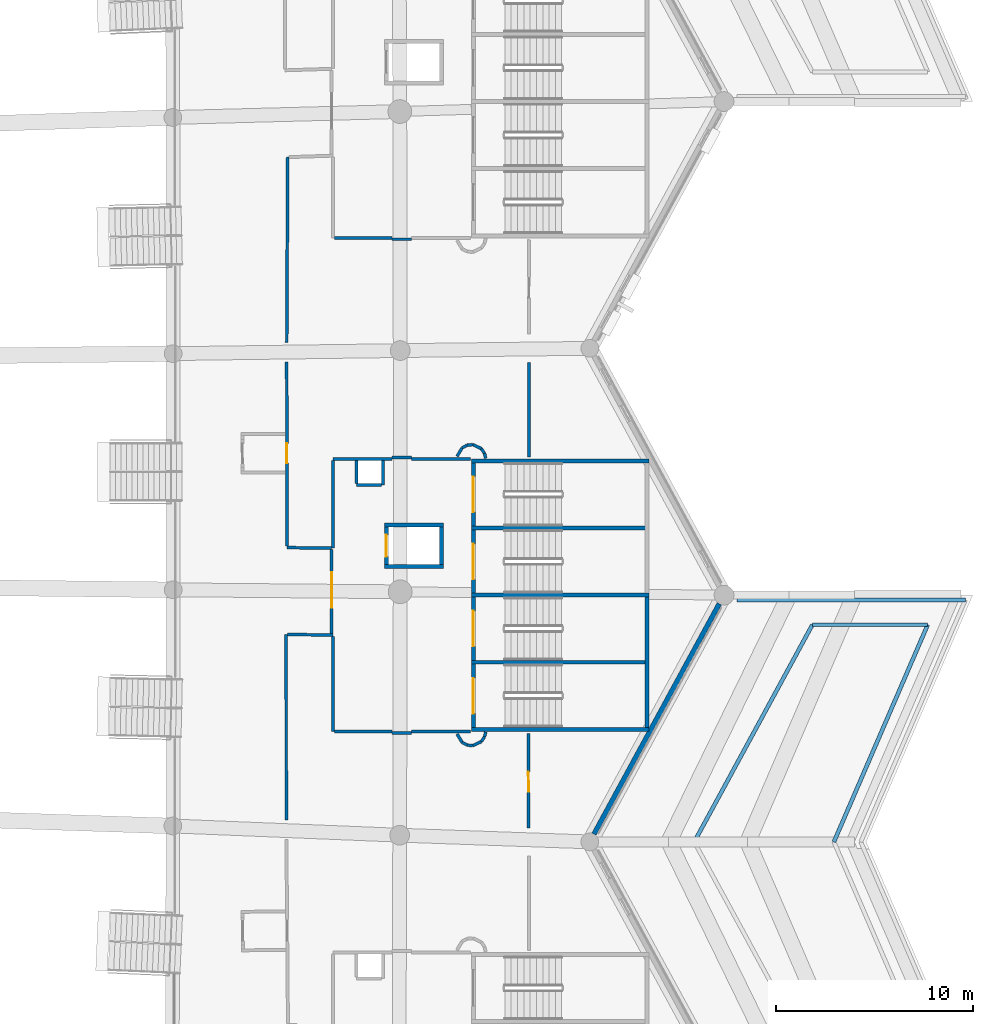
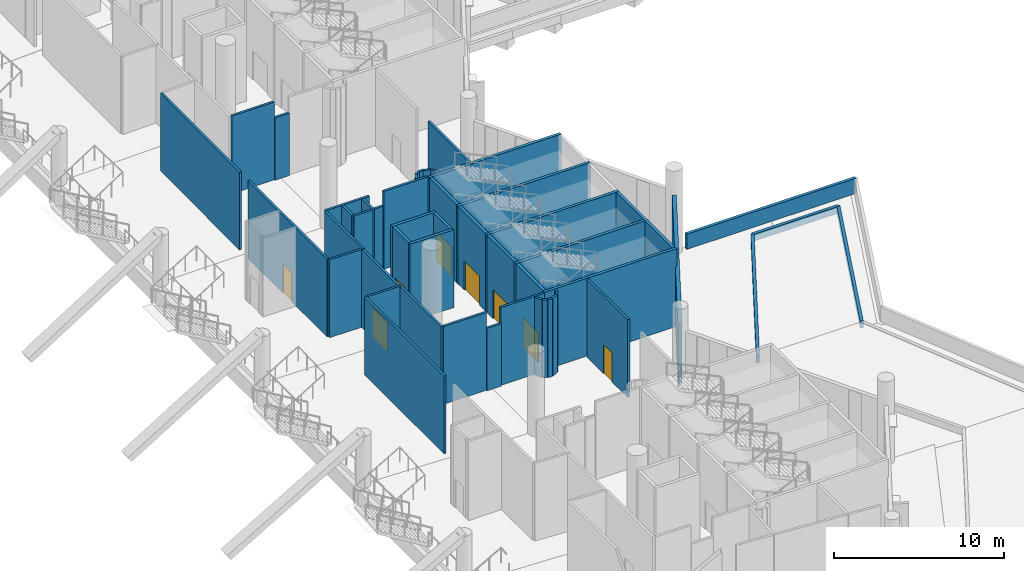
# One storey, part 59 of 173: 52 walls, 8 doors, 8 openings.
"""IFC4 building model written with IfcOpenShell, lengths in metres."""

from ifc_helpers import new_model, si_unit, direction, frame, frame_2d, origin, place, context, subcontext, project, spatial, rectangle, extrude, material, layer, layer_set, type_object, element, fill, save


model = new_model("IFC4")

# Units and contexts
model_context = context("Model", 3, precision=1e-05, world=origin(), true_north=direction((0.0, 1.0)))
body_context = subcontext(model_context, "Body", "Model", "MODEL_VIEW")
ifc_project = project(units=[si_unit("LENGTHUNIT", "METRE"), si_unit("AREAUNIT", "SQUARE_METRE"), si_unit("VOLUMEUNIT", "CUBIC_METRE"), si_unit("PLANEANGLEUNIT", "RADIAN"), si_unit("MASSUNIT", "GRAM", prefix="KILO")], contexts=[model_context])

# Site, building, storey
site_placement = place(None, origin())
site = spatial("IfcSite", under=ifc_project, at=site_placement, CompositionType="ELEMENT")
building_placement = place(site_placement, origin())
building = spatial("IfcBuilding", under=site, at=building_placement, Name="Meseta Stadium", CompositionType="ELEMENT")
storey_placement = place(building_placement, frame((0.0, 0.0, 18.0)))
storey = spatial("IfcBuildingStorey", under=building, at=storey_placement, Name="L03", CompositionType="ELEMENT", Elevation=18.0)

# Walls
ifc_material_1 = material(Name="Concrete C40/50", Category="concrete")
ifc_layer_1 = layer(ifc_material_1, 0.199951171875)
ifc_layer_set_1 = layer_set([ifc_layer_1], Name="Core divider wall 200")
wall_type_1 = type_object("IfcWallType", Name="Core divider wall 200", PredefinedType="SHEAR", material=ifc_layer_set_1)
for number, where, z_axis, x_axis, name in (
    (1, (97.60009765625, -9.64990234375, 0.0), (0.0, 0.0, 1.0), (-1.0, 0.0, 0.0), "Core 03 L03 stair A divider wall"),
    (2, (97.60009765625, -2.85009765625, 0.0), (0.0, 0.0, 1.0), (-1.0, 0.0, 0.0), "Core 03 L03 stair B divider wall"),
):
    element("IfcWall", number, at=place(storey_placement, frame(where, z_axis=z_axis, x_axis=x_axis)), inside=storey, type_object=wall_type_1, Name=name, PredefinedType="SHEAR", context=body_context, shape_type="SweptSolid", body=[
        extrude(rectangle(XDim=9.0, YDim=0.199951171875, at=frame_2d((4.5, 0.0))), origin(), (0.0, 0.0, 1.0), 5.60009765625),
    ])
ifc_material_2 = material(Name="Concrete C40/50", Category="concrete")
ifc_layer_2 = layer(ifc_material_2, 0.199951171875)
ifc_layer_set_2 = layer_set([ifc_layer_2], Name="Core shaft wall 200")
wall_type_2 = type_object("IfcWallType", Name="Core shaft wall 200", PredefinedType="SHEAR", material=ifc_layer_set_2)
for number, where, z_axis, x_axis, name in (
    (3, (97.60009765625, -13.050048828125, 0.0), (0.0, 0.0, 1.0), (-1.0, 0.0, 0.0), "Core 03 L03 stair wall A-side"),
    (4, (97.60009765625, -6.25, 0.0), (0.0, 0.0, 1.0), (-1.0, 0.0, 0.0), "Core 03 L03 stair wall shared"),
    (5, (97.60009765625, 0.550048828125, 0.0), (0.0, 0.0, 1.0), (-1.0, 0.0, 0.0), "Core 03 L03 stair wall B-side"),
):
    element("IfcWall", number, at=place(storey_placement, frame(where, z_axis=z_axis, x_axis=x_axis)), inside=storey, type_object=wall_type_2, Name=name, PredefinedType="SHEAR", context=body_context, shape_type="SweptSolid", body=[
        extrude(rectangle(XDim=9.0, YDim=0.199951171875, at=frame_2d((4.5, 0.0))), origin(), (0.0, 0.0, 1.0), 5.60009765625),
    ])
wall_1_placement = place(storey_placement, frame((97.5, -12.949951171875, 0.0), z_axis=(0.0, 0.0, 1.0), x_axis=(0.0, 1.0, 0.0)))
element("IfcWall", 6, at=wall_1_placement, inside=storey, type_object=wall_type_2, Name="Core 03 L03 stair A outer end wall", PredefinedType="SHEAR", context=body_context, shape_type="SweptSolid", body=[
    extrude(rectangle(XDim=6.599853515625, YDim=0.199951171875, at=frame_2d((3.2998046875, 0.0))), origin(), (0.0, 0.0, 1.0), 5.60009765625),
])

# Wall, opening, door
wall_2_placement = place(storey_placement, frame((88.699951171875, -12.949951171875, 0.0), z_axis=(0.0, 0.0, 1.0), x_axis=(0.0, 1.0, 0.0)))
wall_2 = element("IfcWall", 7, at=wall_2_placement, inside=storey, type_object=wall_type_2, Name="Core 03 L03 stair A1 inner end wall", PredefinedType="SHEAR", context=body_context, shape_type="SweptSolid", body=[
    extrude(rectangle(XDim=3.199951171875, YDim=0.199951171875, at=frame_2d((1.60009765625, 0.0))), origin(), (0.0, 0.0, 1.0), 5.60009765625),
])
opening_1_placement = place(wall_2_placement, frame((0.699951171875, 0.0, 0.0)))
opening_1 = element("IfcOpeningElement", 8, at=opening_1_placement, cuts=wall_2, Name="Opening D1485", PredefinedType="OPENING", context=body_context, shape_type="SweptSolid", body=[
    extrude(rectangle(XDim=1.800048828125, YDim=2.10009765625, at=frame_2d((0.89990234375, 1.050048828125))), frame((0.0, 0.10986328125, 0.0), z_axis=(0.0, -1.0, 0.0), x_axis=(1.0, 0.0, 0.0)), (0.0, 0.0, 1.0), 0.219970703125),
])
ifc_material_3 = material(Name="Steel", Category="steel")
door_type_1 = type_object("IfcDoorType", Name="Stair door 1800x2100", OperationType="DOUBLE_DOOR_SINGLE_SWING", PredefinedType="DOOR", material=ifc_material_3)
door_1_placement = place(opening_1_placement, origin())
door_1 = element("IfcDoor", 9, at=door_1_placement, inside=storey, type_object=door_type_1, Name="Stair A1 door 03 L03", OperationType="DOUBLE_DOOR_SINGLE_SWING", OverallHeight=2.10009765625, OverallWidth=1.800048828125, PredefinedType="DOOR", context=body_context, shape_type="SweptSolid", body=[
    extrude(rectangle(XDim=1.800048828125, YDim=2.10009765625, at=frame_2d((0.89990234375, 1.050048828125))), frame((0.0, 0.02490234375, 0.0), z_axis=(0.0, -1.0, 0.0), x_axis=(1.0, 0.0, 0.0)), (0.0, 0.0, 1.0), 0.050048828125),
])
fill(opening_1, door_1)

wall_3_placement = place(storey_placement, frame((88.699951171875, -9.550048828125, 0.0), z_axis=(0.0, 0.0, 1.0), x_axis=(0.0, 1.0, 0.0)))
wall_3 = element("IfcWall", 10, at=wall_3_placement, inside=storey, type_object=wall_type_2, Name="Core 03 L03 stair A2 inner end wall", PredefinedType="SHEAR", context=body_context, shape_type="SweptSolid", body=[
    extrude(rectangle(XDim=3.199951171875, YDim=0.199951171875, at=frame_2d((1.60009765625, 0.0))), origin(), (0.0, 0.0, 1.0), 5.60009765625),
])
opening_2_placement = place(wall_3_placement, frame((0.699951171875, 0.0, 0.0)))
opening_2 = element("IfcOpeningElement", 11, at=opening_2_placement, cuts=wall_3, Name="Opening D1486", PredefinedType="OPENING", context=body_context, shape_type="SweptSolid", body=[
    extrude(rectangle(XDim=1.800048828125, YDim=2.10009765625, at=frame_2d((0.89990234375, 1.050048828125))), frame((0.0, 0.10986328125, 0.0), z_axis=(0.0, -1.0, 0.0), x_axis=(1.0, 0.0, 0.0)), (0.0, 0.0, 1.0), 0.219970703125),
])
door_2_placement = place(opening_2_placement, origin())
door_2 = element("IfcDoor", 12, at=door_2_placement, inside=storey, type_object=door_type_1, Name="Stair A2 door 03 L03", OperationType="DOUBLE_DOOR_SINGLE_SWING", OverallHeight=2.10009765625, OverallWidth=1.800048828125, PredefinedType="DOOR", context=body_context, shape_type="SweptSolid", body=[
    extrude(rectangle(XDim=1.800048828125, YDim=2.10009765625, at=frame_2d((0.89990234375, 1.050048828125))), frame((0.0, 0.02490234375, 0.0), z_axis=(0.0, -1.0, 0.0), x_axis=(1.0, 0.0, 0.0)), (0.0, 0.0, 1.0), 0.050048828125),
])
fill(opening_2, door_2)

wall_4_placement = place(storey_placement, frame((88.699951171875, -6.14990234375, 0.0), z_axis=(0.0, 0.0, 1.0), x_axis=(0.0, 1.0, 0.0)))
wall_4 = element("IfcWall", 13, at=wall_4_placement, inside=storey, type_object=wall_type_2, Name="Core 03 L03 stair B1 inner end wall", PredefinedType="SHEAR", context=body_context, shape_type="SweptSolid", body=[
    extrude(rectangle(XDim=3.199951171875, YDim=0.199951171875, at=frame_2d((1.60009765625, 0.0))), origin(), (0.0, 0.0, 1.0), 5.60009765625),
])
opening_3_placement = place(wall_4_placement, frame((0.699951171875, 0.0, 0.0)))
opening_3 = element("IfcOpeningElement", 14, at=opening_3_placement, cuts=wall_4, Name="Opening D1487", PredefinedType="OPENING", context=body_context, shape_type="SweptSolid", body=[
    extrude(rectangle(XDim=1.800048828125, YDim=2.10009765625, at=frame_2d((0.89990234375, 1.050048828125))), frame((0.0, 0.10986328125, 0.0), z_axis=(0.0, -1.0, 0.0), x_axis=(1.0, 0.0, 0.0)), (0.0, 0.0, 1.0), 0.219970703125),
])
door_3_placement = place(opening_3_placement, origin())
door_3 = element("IfcDoor", 15, at=door_3_placement, inside=storey, type_object=door_type_1, Name="Stair B1 door 03 L03", OperationType="DOUBLE_DOOR_SINGLE_SWING", OverallHeight=2.10009765625, OverallWidth=1.800048828125, PredefinedType="DOOR", context=body_context, shape_type="SweptSolid", body=[
    extrude(rectangle(XDim=1.800048828125, YDim=2.10009765625, at=frame_2d((0.89990234375, 1.050048828125))), frame((0.0, 0.02490234375, 0.0), z_axis=(0.0, -1.0, 0.0), x_axis=(1.0, 0.0, 0.0)), (0.0, 0.0, 1.0), 0.050048828125),
])
fill(opening_3, door_3)

wall_5_placement = place(storey_placement, frame((88.699951171875, -2.75, 0.0), z_axis=(0.0, 0.0, 1.0), x_axis=(0.0, 1.0, 0.0)))
wall_5 = element("IfcWall", 16, at=wall_5_placement, inside=storey, type_object=wall_type_2, Name="Core 03 L03 stair B2 inner end wall", PredefinedType="SHEAR", context=body_context, shape_type="SweptSolid", body=[
    extrude(rectangle(XDim=3.199951171875, YDim=0.199951171875, at=frame_2d((1.60009765625, 0.0))), origin(), (0.0, 0.0, 1.0), 5.60009765625),
])
opening_4_placement = place(wall_5_placement, frame((0.699951171875, 0.0, 0.0)))
opening_4 = element("IfcOpeningElement", 17, at=opening_4_placement, cuts=wall_5, Name="Opening D1488", PredefinedType="OPENING", context=body_context, shape_type="SweptSolid", body=[
    extrude(rectangle(XDim=1.800048828125, YDim=2.10009765625, at=frame_2d((0.89990234375, 1.050048828125))), frame((0.0, 0.10986328125, 0.0), z_axis=(0.0, -1.0, 0.0), x_axis=(1.0, 0.0, 0.0)), (0.0, 0.0, 1.0), 0.219970703125),
])
door_4_placement = place(opening_4_placement, origin())
door_4 = element("IfcDoor", 18, at=door_4_placement, inside=storey, type_object=door_type_1, Name="Stair B2 door 03 L03", OperationType="DOUBLE_DOOR_SINGLE_SWING", OverallHeight=2.10009765625, OverallWidth=1.800048828125, PredefinedType="DOOR", context=body_context, shape_type="SweptSolid", body=[
    extrude(rectangle(XDim=1.800048828125, YDim=2.10009765625, at=frame_2d((0.89990234375, 1.050048828125))), frame((0.0, 0.02490234375, 0.0), z_axis=(0.0, -1.0, 0.0), x_axis=(1.0, 0.0, 0.0)), (0.0, 0.0, 1.0), 0.050048828125),
])
fill(opening_4, door_4)

# Walls
for number, where, z_axis, x_axis, name in (
    (19, (87.199951171875, -4.800048828125, 0.0), (0.0, 0.0, 1.0), (-1.0, 0.0, 0.0), "Core 03 L03 lift shaft wall left"),
    (20, (87.199951171875, -2.699951171875, 0.0), (0.0, 0.0, 1.0), (-1.0, 0.0, 0.0), "Core 03 L03 lift shaft wall right"),
):
    element("IfcWall", number, at=place(storey_placement, frame(where, z_axis=z_axis, x_axis=x_axis)), inside=storey, type_object=wall_type_2, Name=name, PredefinedType="SHEAR", context=body_context, shape_type="SweptSolid", body=[
        extrude(rectangle(XDim=3.0, YDim=0.199951171875, at=frame_2d((1.5, 0.0))), origin(), (0.0, 0.0, 1.0), 5.60009765625),
    ])
wall_6_placement = place(storey_placement, frame((87.10009765625, -4.699951171875, 0.0), z_axis=(0.0, 0.0, 1.0), x_axis=(0.0, 1.0, 0.0)))
element("IfcWall", 21, at=wall_6_placement, inside=storey, type_object=wall_type_2, Name="Core 03 L03 lift shaft back wall", PredefinedType="SHEAR", context=body_context, shape_type="SweptSolid", body=[
    extrude(rectangle(XDim=1.89990234375, YDim=0.199951171875, at=frame_2d((0.949951171875, 0.0))), origin(), (0.0, 0.0, 1.0), 5.60009765625),
])

# Wall, opening, door
wall_7_placement = place(storey_placement, frame((84.300048828125, -4.699951171875, 0.0), z_axis=(0.0, 0.0, 1.0), x_axis=(0.0, 1.0, 0.0)))
wall_7 = element("IfcWall", 22, at=wall_7_placement, inside=storey, type_object=wall_type_2, Name="Core 03 L03 lift shaft front wall", PredefinedType="SHEAR", context=body_context, shape_type="SweptSolid", body=[
    extrude(rectangle(XDim=1.89990234375, YDim=0.199951171875, at=frame_2d((0.949951171875, 0.0))), origin(), (0.0, 0.0, 1.0), 5.60009765625),
])
opening_5_placement = place(wall_7_placement, frame((0.39990234375, 0.0, 0.0)))
opening_5 = element("IfcOpeningElement", 23, at=opening_5_placement, cuts=wall_7, Name="Opening LD17", PredefinedType="OPENING", context=body_context, shape_type="SweptSolid", body=[
    extrude(rectangle(XDim=1.10009765625, YDim=2.10009765625, at=frame_2d((0.550048828125, 1.050048828125))), frame((0.0, 0.10986328125, 0.0), z_axis=(0.0, -1.0, 0.0), x_axis=(1.0, 0.0, 0.0)), (0.0, 0.0, 1.0), 0.219970703125),
])
ifc_material_4 = material(Name="Steel", Category="steel")
door_type_2 = type_object("IfcDoorType", Name="Lift landing door 1100x2100", OperationType="SLIDING_TO_LEFT", PredefinedType="DOOR", material=ifc_material_4)
door_5_placement = place(opening_5_placement, origin())
door_5 = element("IfcDoor", 24, at=door_5_placement, inside=storey, type_object=door_type_2, Name="Lift landing door LD17", OperationType="SLIDING_TO_LEFT", OverallHeight=2.10009765625, OverallWidth=1.10009765625, PredefinedType="DOOR", context=body_context, shape_type="SweptSolid", body=[
    extrude(rectangle(XDim=1.10009765625, YDim=2.10009765625, at=frame_2d((0.550048828125, 1.050048828125))), frame((0.0, 0.02490234375, 0.0), z_axis=(0.0, -1.0, 0.0), x_axis=(1.0, 0.0, 0.0)), (0.0, 0.0, 1.0), 0.050048828125),
])
fill(opening_5, door_5)

# Walls
ifc_material_5 = material(Name="Masonry blockwork", Category="masonry")
ifc_layer_3 = layer(ifc_material_5, 0.14990234375)
ifc_layer_set_3 = layer_set([ifc_layer_3], Name="Partition 150")
wall_type_3 = type_object("IfcWallType", Name="Partition 150", PredefinedType="PARTITIONING", material=ifc_layer_set_3)
wall_8_placement = place(storey_placement, frame((79.22900390625, -17.63818359375, 0.0), z_axis=(0.0, 0.0, 1.0), x_axis=(-0.000571770055, 0.999999836539, 0.0)))
element("IfcWall", 25, at=wall_8_placement, inside=storey, type_object=wall_type_3, Name="Partition L03 L03-cell01-1-0", PredefinedType="PARTITIONING", context=body_context, shape_type="SweptSolid", body=[
    extrude(rectangle(XDim=9.393798828125, YDim=0.14990234375, at=frame_2d((4.69677734375, 0.0))), origin(), (0.0, 0.0, 1.0), 5.60009765625),
])
wall_9_placement = place(storey_placement, frame((79.298583984375, -8.2451171875, 0.0), z_axis=(0.0, 0.0, 1.0), x_axis=(0.999940315913, -0.010925411323, 0.0)))
element("IfcWall", 26, at=wall_9_placement, inside=storey, type_object=wall_type_3, Name="Partition L03 L03-cell01-1-0", PredefinedType="PARTITIONING", context=body_context, shape_type="SweptSolid", body=[
    extrude(rectangle(XDim=2.3017578125, YDim=0.14990234375, at=frame_2d((1.15087890625, 0.0))), origin(), (0.0, 0.0, 1.0), 5.60009765625),
])
wall_10_placement = place(storey_placement, frame((81.60009765625, -8.34521484375, 0.0), z_axis=(0.0, 0.0, 1.0), x_axis=(0.0, -1.0, 0.0)))
element("IfcWall", 27, at=wall_10_placement, inside=storey, type_object=wall_type_3, Name="Partition L03 L03-cell01-1-0", PredefinedType="PARTITIONING", context=body_context, shape_type="SweptSolid", body=[
    extrude(rectangle(XDim=4.8046875, YDim=0.14990234375, at=frame_2d((2.40234375, 0.0))), origin(), (0.0, 0.0, 1.0), 5.60009765625),
])
wall_11_placement = place(storey_placement, frame((81.675048828125, -13.14990234375, 0.0), z_axis=(0.0, 0.0, 1.0), x_axis=(1.0, 0.0, 0.0)))
element("IfcWall", 28, at=wall_11_placement, inside=storey, type_object=wall_type_3, Name="Partition L03 L03-cell01-1-0", PredefinedType="PARTITIONING", context=body_context, shape_type="SweptSolid", body=[
    extrude(rectangle(XDim=2.907958984375, YDim=0.14990234375, at=frame_2d((1.4541015625, 0.0))), origin(), (0.0, 0.0, 1.0), 5.60009765625),
])
wall_12_placement = place(storey_placement, frame((85.5771484375, -13.14990234375, 0.0), z_axis=(0.0, 0.0, 1.0), x_axis=(1.0, 0.0, 0.0)))
element("IfcWall", 29, at=wall_12_placement, inside=storey, type_object=wall_type_3, Name="Partition L03 L03-cell01-1-0", PredefinedType="PARTITIONING", context=body_context, shape_type="SweptSolid", body=[
    extrude(rectangle(XDim=2.98291015625, YDim=0.14990234375, at=frame_2d((1.491455078125, 0.0))), origin(), (0.0, 0.0, 1.0), 5.60009765625),
])

# Wall, opening, door
wall_13_placement = place(storey_placement, frame((91.505615234375, -18.03271484375, 0.0), z_axis=(0.0, 0.0, 1.0), x_axis=(-0.003624274308, 0.999993432296, 0.0)))
wall_13 = element("IfcWall", 30, at=wall_13_placement, inside=storey, type_object=wall_type_3, Name="Partition L03 L03-cell01-1-0", PredefinedType="PARTITIONING", context=body_context, shape_type="SweptSolid", body=[
    extrude(rectangle(XDim=4.78271484375, YDim=0.14990234375, at=frame_2d((2.391357421875, 0.0))), origin(), (0.0, 0.0, 1.0), 5.60009765625),
])
opening_6_placement = place(wall_13_placement, frame((1.83251953125, 0.0, 0.0)))
opening_6 = element("IfcOpeningElement", 31, at=opening_6_placement, cuts=wall_13, Name="Opening D1495", PredefinedType="OPENING", context=body_context, shape_type="SweptSolid", body=[
    extrude(rectangle(XDim=1.0, YDim=2.10009765625, at=frame_2d((0.5, 1.050048828125))), frame((0.0, 0.0849609375, 0.0), z_axis=(0.0, -1.0, 0.0), x_axis=(1.0, 0.0, 0.0)), (0.0, 0.0, 1.0), 0.169921875),
])
ifc_material_6 = material(Name="Steel", Category="steel")
door_type_3 = type_object("IfcDoorType", Name="Fire door 1000x2100 EI2 60", OperationType="NOTDEFINED", PredefinedType="DOOR", material=ifc_material_6)
door_6_placement = place(opening_6_placement, origin())
door_6 = element("IfcDoor", 32, at=door_6_placement, inside=storey, type_object=door_type_3, Name="Room door L03 L03-cell01-2-0", OperationType="SINGLE_SWING_LEFT", OverallHeight=2.10009765625, OverallWidth=1.0, PredefinedType="DOOR", context=body_context, shape_type="SweptSolid", body=[
    extrude(rectangle(XDim=1.0, YDim=2.10009765625, at=frame_2d((0.5, 1.050048828125))), frame((0.0, 0.02490234375, 0.0), z_axis=(0.0, -1.0, 0.0), x_axis=(1.0, 0.0, 0.0)), (0.0, 0.0, 1.0), 0.050048828125),
])
fill(opening_6, door_6)

# Walls
for number, where, z_axis, x_axis, name in (
    (33, (88.56005859375, 0.64990234375, 0.0), (0.0, 0.0, 1.0), (-1.0, 0.0, 0.0), "Partition L03 L03-cell02-1-0"),
    (34, (84.5830078125, 0.64990234375, 0.0), (0.0, 0.0, 1.0), (-1.0, 0.0, 0.0), "Partition L03 L03-cell02-1-0"),
):
    element("IfcWall", number, at=place(storey_placement, frame(where, z_axis=z_axis, x_axis=x_axis)), inside=storey, type_object=wall_type_3, Name=name, PredefinedType="PARTITIONING", context=body_context, shape_type="SweptSolid", body=[
        extrude(rectangle(XDim=2.98291015625, YDim=0.14990234375, at=frame_2d((1.491455078125, 0.0))), origin(), (0.0, 0.0, 1.0), 5.60009765625),
    ])
wall_14_placement = place(storey_placement, frame((81.60009765625, 0.574951171875, 0.0), z_axis=(0.0, 0.0, 1.0), x_axis=(0.0, -1.0, 0.0)))
element("IfcWall", 35, at=wall_14_placement, inside=storey, type_object=wall_type_3, Name="Partition L03 L03-cell02-1-0", PredefinedType="PARTITIONING", context=body_context, shape_type="SweptSolid", body=[
    extrude(rectangle(XDim=4.445068359375, YDim=0.14990234375, at=frame_2d((2.22265625, 0.0))), origin(), (0.0, 0.0, 1.0), 5.60009765625),
])
wall_15_placement = place(storey_placement, frame((81.52490234375, -3.869140625, 0.0), z_axis=(0.0, 0.0, 1.0), x_axis=(-0.999940122391, 0.010943108935, 0.0)))
element("IfcWall", 36, at=wall_15_placement, inside=storey, type_object=wall_type_3, Name="Partition L03 L03-cell02-1-0", PredefinedType="PARTITIONING", context=body_context, shape_type="SweptSolid", body=[
    extrude(rectangle(XDim=2.25341796875, YDim=0.14990234375, at=frame_2d((1.126708984375, 0.0))), origin(), (0.0, 0.0, 1.0), 5.60009765625),
])

# Wall, opening, door
wall_16_placement = place(storey_placement, frame((79.271484375, -3.76953125, 0.0), z_axis=(0.0, 0.0, 1.0), x_axis=(-0.002436333543, 0.999997032135, 0.0)))
wall_16 = element("IfcWall", 37, at=wall_16_placement, inside=storey, type_object=wall_type_3, Name="Partition L03 L03-cell02-1-0", PredefinedType="PARTITIONING", context=body_context, shape_type="SweptSolid", body=[
    extrude(rectangle(XDim=9.3193359375, YDim=0.14990234375, at=frame_2d((4.65966796875, 0.0))), origin(), (0.0, 0.0, 1.0), 5.60009765625),
])
opening_7_placement = place(wall_16_placement, frame((4.199951171875, 0.0, 0.0)))
opening_7 = element("IfcOpeningElement", 38, at=opening_7_placement, cuts=wall_16, Name="Opening D1453", PredefinedType="OPENING", context=body_context, shape_type="SweptSolid", body=[
    extrude(rectangle(XDim=1.0, YDim=2.10009765625, at=frame_2d((0.5, 1.050048828125))), frame((0.0, 0.0849609375, 0.0), z_axis=(0.0, -1.0, 0.0), x_axis=(1.0, 0.0, 0.0)), (0.0, 0.0, 1.0), 0.169921875),
])
door_7_placement = place(opening_7_placement, origin())
door_7 = element("IfcDoor", 39, at=door_7_placement, inside=storey, type_object=door_type_3, Name="Room door L03 L03-cell02-1-0", OperationType="SINGLE_SWING_RIGHT", OverallHeight=2.10009765625, OverallWidth=1.0, PredefinedType="DOOR", context=body_context, shape_type="SweptSolid", body=[
    extrude(rectangle(XDim=1.0, YDim=2.10009765625, at=frame_2d((0.5, 1.050048828125))), frame((0.0, 0.02490234375, 0.0), z_axis=(0.0, -1.0, 0.0), x_axis=(1.0, 0.0, 0.0)), (0.0, 0.0, 1.0), 0.050048828125),
])
fill(opening_7, door_7)

# Walls
wall_17_placement = place(storey_placement, frame((79.25048828125, 6.538818359375, 0.0), z_axis=(0.0, 0.0, 1.0), x_axis=(0.005457157377, 0.999985109606, 0.0)))
element("IfcWall", 40, at=wall_17_placement, inside=storey, type_object=wall_type_3, Name="Partition L03 L03-cell02-1-0", PredefinedType="PARTITIONING", context=body_context, shape_type="SweptSolid", body=[
    extrude(rectangle(XDim=9.39501953125, YDim=0.14990234375, at=frame_2d((4.697509765625, 0.0))), origin(), (0.0, 0.0, 1.0), 5.60009765625),
])
wall_18_placement = place(storey_placement, frame((81.675048828125, 11.85009765625, 0.0), z_axis=(0.0, 0.0, 1.0), x_axis=(1.0, 0.0, 0.0)))
element("IfcWall", 41, at=wall_18_placement, inside=storey, type_object=wall_type_3, Name="Partition L03 L03-cell02-1-0", PredefinedType="PARTITIONING", context=body_context, shape_type="SweptSolid", body=[
    extrude(rectangle(XDim=2.907958984375, YDim=0.14990234375, at=frame_2d((1.4541015625, 0.0))), origin(), (0.0, 0.0, 1.0), 5.60009765625),
])
wall_19_placement = place(storey_placement, frame((91.517333984375, 5.53271484375, 0.0), z_axis=(0.0, 0.0, 1.0), x_axis=(-0.001174067593, -0.999999310782, 0.0)))
element("IfcWall", 42, at=wall_19_placement, inside=storey, type_object=wall_type_3, Name="Partition L03 L03-cell02-1-0", PredefinedType="PARTITIONING", context=body_context, shape_type="SweptSolid", body=[
    extrude(rectangle(XDim=4.78271484375, YDim=0.14990234375, at=frame_2d((2.391357421875, 0.0))), origin(), (0.0, 0.0, 1.0), 5.60009765625),
])
wall_20_placement = place(storey_placement, frame((84.125, -0.675048828125, 0.0), z_axis=(0.0, 0.0, 1.0), x_axis=(0.0, 1.0, 0.0)))
element("IfcWall", 43, at=wall_20_placement, inside=storey, type_object=wall_type_3, Name="Pressurisation shaft wall L03 core 03", PredefinedType="PARTITIONING", context=body_context, shape_type="SweptSolid", body=[
    extrude(rectangle(XDim=1.2490234375, YDim=0.14990234375, at=frame_2d((0.62451171875, 0.0))), origin(), (0.0, 0.0, 1.0), 5.60009765625),
])
wall_21_placement = place(storey_placement, frame((82.77490234375, 0.573974609375, 0.0), z_axis=(0.0, 0.0, 1.0), x_axis=(0.0, -1.0, 0.0)))
element("IfcWall", 44, at=wall_21_placement, inside=storey, type_object=wall_type_3, Name="Pressurisation shaft wall L03 core 03", PredefinedType="PARTITIONING", context=body_context, shape_type="SweptSolid", body=[
    extrude(rectangle(XDim=1.174072265625, YDim=0.14990234375, at=frame_2d((0.5869140625, 0.0))), origin(), (0.0, 0.0, 1.0), 5.60009765625),
])
wall_22_placement = place(storey_placement, frame((82.77490234375, -0.675048828125, 0.0), z_axis=(0.0, 0.0, 1.0), x_axis=(1.0, 0.0, 0.0)))
element("IfcWall", 45, at=wall_22_placement, inside=storey, type_object=wall_type_3, Name="Pressurisation shaft wall L03 core 03", PredefinedType="PARTITIONING", context=body_context, shape_type="SweptSolid", body=[
    extrude(rectangle(XDim=1.275146484375, YDim=0.14990234375, at=frame_2d((0.6376953125, 0.0))), origin(), (0.0, 0.0, 1.0), 5.60009765625),
])

# Wall, opening, door
wall_23_placement = place(storey_placement, frame((81.52490234375, -3.9453125, 0.0), z_axis=(0.0, 0.0, 1.0), x_axis=(0.0, -1.0, 0.0)))
wall_23 = element("IfcWall", 46, at=wall_23_placement, inside=storey, type_object=wall_type_3, Name="Stair vestibule wall L03 core 03", PredefinedType="PARTITIONING", context=body_context, shape_type="SweptSolid", body=[
    extrude(rectangle(XDim=4.239990234375, YDim=0.14990234375, at=frame_2d((2.1201171875, 0.0))), origin(), (0.0, 0.0, 1.0), 5.60009765625),
])
opening_8_placement = place(wall_23_placement, frame((1.14990234375, 0.0, 0.0)))
opening_8 = element("IfcOpeningElement", 47, at=opening_8_placement, cuts=wall_23, Name="Opening D1460", PredefinedType="OPENING", context=body_context, shape_type="SweptSolid", body=[
    extrude(rectangle(XDim=1.800048828125, YDim=2.10009765625, at=frame_2d((0.89990234375, 1.050048828125))), frame((0.0, 0.0849609375, 0.0), z_axis=(0.0, -1.0, 0.0), x_axis=(1.0, 0.0, 0.0)), (0.0, 0.0, 1.0), 0.169921875),
])
ifc_material_7 = material(Name="Steel", Category="steel")
door_type_4 = type_object("IfcDoorType", Name="Fire double door 1800x2100 EI2 60", OperationType="DOUBLE_DOOR_SINGLE_SWING", PredefinedType="DOOR", material=ifc_material_7)
door_8_placement = place(opening_8_placement, origin())
door_8 = element("IfcDoor", 48, at=door_8_placement, inside=storey, type_object=door_type_4, Name="Stair vestibule door L03 core 03", OperationType="DOUBLE_DOOR_SINGLE_SWING", OverallHeight=2.10009765625, OverallWidth=1.800048828125, PredefinedType="DOOR", context=body_context, shape_type="SweptSolid", body=[
    extrude(rectangle(XDim=1.800048828125, YDim=2.10009765625, at=frame_2d((0.89990234375, 1.050048828125))), frame((0.0, 0.02490234375, 0.0), z_axis=(0.0, -1.0, 0.0), x_axis=(1.0, 0.0, 0.0)), (0.0, 0.0, 1.0), 0.050048828125),
])
fill(opening_8, door_8)

# Walls
wall_24_placement = place(storey_placement, frame((84.593017578125, -13.22509765625, 0.0), z_axis=(0.0, 0.0, 1.0), x_axis=(1.0, 0.0, 0.0)))
element("IfcWall", 49, at=wall_24_placement, inside=storey, type_object=wall_type_3, Name="Stair vestibule wall L03 core 03", PredefinedType="PARTITIONING", context=body_context, shape_type="SweptSolid", body=[
    extrude(rectangle(XDim=0.97412109375, YDim=0.14990234375, at=frame_2d((0.487060546875, 0.0))), origin(), (0.0, 0.0, 1.0), 4.5),
])
wall_25_placement = place(storey_placement, frame((87.877197265625, -13.279052734375, 0.0), z_axis=(0.0, 0.0, 1.0), x_axis=(0.513060623194, -0.858352373404, 0.0)))
element("IfcWall", 50, at=wall_25_placement, inside=storey, type_object=wall_type_3, Name="Stair vestibule wall L03 core 03", PredefinedType="PARTITIONING", context=body_context, shape_type="SweptSolid", body=[
    extrude(rectangle(XDim=0.50048828125, YDim=0.14990234375, at=frame_2d((0.250244140625, 0.0))), origin(), (0.0, 0.0, 1.0), 5.60009765625),
])
for number, where, z_axis, x_axis, name in (
    (51, (88.134033203125, -13.708740234375, 0.0), (0.0, 0.0, 1.0), (0.881768319, -0.471682765858, 0.0), "Stair vestibule wall L03 core 03"),
    (52, (88.38916015625, -13.84521484375, 0.0), (0.0, 0.0, 1.0), (0.995194714408, -0.097915680128, 0.0), "Stair vestibule wall L03 core 03"),
):
    element("IfcWall", number, at=place(storey_placement, frame(where, z_axis=z_axis, x_axis=x_axis)), inside=storey, type_object=wall_type_3, Name=name, PredefinedType="PARTITIONING", context=body_context, shape_type="SweptSolid", body=[
        extrude(rectangle(XDim=0.289306640625, YDim=0.14990234375, at=frame_2d((0.14453125, 0.0))), origin(), (0.0, 0.0, 1.0), 5.60009765625),
    ])
wall_26_placement = place(storey_placement, frame((88.677001953125, -13.87353515625, 0.0), z_axis=(0.0, 0.0, 1.0), x_axis=(0.90398642908, 0.427561148889, 0.0)))
element("IfcWall", 53, at=wall_26_placement, inside=storey, type_object=wall_type_3, Name="Stair vestibule wall L03 core 03", PredefinedType="PARTITIONING", context=body_context, shape_type="SweptSolid", body=[
    extrude(rectangle(XDim=0.479736328125, YDim=0.14990234375, at=frame_2d((0.23974609375, 0.0))), origin(), (0.0, 0.0, 1.0), 5.60009765625),
])
wall_27_placement = place(storey_placement, frame((89.110595703125, -13.66845703125, 0.0), z_axis=(0.0, 0.0, 1.0), x_axis=(0.555678694372, 0.831397130511, 0.0)))
element("IfcWall", 54, at=wall_27_placement, inside=storey, type_object=wall_type_3, Name="Stair vestibule wall L03 core 03", PredefinedType="PARTITIONING", context=body_context, shape_type="SweptSolid", body=[
    extrude(rectangle(XDim=0.287841796875, YDim=0.14990234375, at=frame_2d((0.14404296875, 0.0))), origin(), (0.0, 0.0, 1.0), 5.60009765625),
])
for number, where, z_axis, x_axis, name in (
    (55, (89.2705078125, -13.42919921875, 0.0), (0.0, 0.0, 1.0), (0.230253879357, 0.973130593004, 0.0), "Stair vestibule wall L03 core 03"),
    (56, (89.329833984375, 0.678466796875, 0.0), (0.0, 0.0, 1.0), (-0.230253879357, 0.973130593004, 0.0), "Stair vestibule wall L03 core 03"),
):
    element("IfcWall", number, at=place(storey_placement, frame(where, z_axis=z_axis, x_axis=x_axis)), inside=storey, type_object=wall_type_3, Name=name, PredefinedType="PARTITIONING", context=body_context, shape_type="SweptSolid", body=[
        extrude(rectangle(XDim=0.257568359375, YDim=0.14990234375, at=frame_2d((0.12890625, 0.0))), origin(), (0.0, 0.0, 1.0), 5.60009765625),
    ])
wall_28_placement = place(storey_placement, frame((89.2705078125, 0.92919921875, 0.0), z_axis=(0.0, 0.0, 1.0), x_axis=(-0.555678694372, 0.831397130511, 0.0)))
element("IfcWall", 57, at=wall_28_placement, inside=storey, type_object=wall_type_3, Name="Stair vestibule wall L03 core 03", PredefinedType="PARTITIONING", context=body_context, shape_type="SweptSolid", body=[
    extrude(rectangle(XDim=0.287841796875, YDim=0.14990234375, at=frame_2d((0.14404296875, 0.0))), origin(), (0.0, 0.0, 1.0), 5.60009765625),
])
wall_29_placement = place(storey_placement, frame((89.110595703125, 1.16845703125, 0.0), z_axis=(0.0, 0.0, 1.0), x_axis=(-0.90398642908, 0.427561148889, 0.0)))
element("IfcWall", 58, at=wall_29_placement, inside=storey, type_object=wall_type_3, Name="Stair vestibule wall L03 core 03", PredefinedType="PARTITIONING", context=body_context, shape_type="SweptSolid", body=[
    extrude(rectangle(XDim=0.479736328125, YDim=0.14990234375, at=frame_2d((0.23974609375, 0.0))), origin(), (0.0, 0.0, 1.0), 5.60009765625),
])
for number, where, z_axis, x_axis, name in (
    (59, (88.677001953125, 1.37353515625, 0.0), (0.0, 0.0, 1.0), (-0.995194714408, -0.097915680128, 0.0), "Stair vestibule wall L03 core 03"),
    (60, (88.38916015625, 1.34521484375, 0.0), (0.0, 0.0, 1.0), (-0.881768319, -0.471682765858, 0.0), "Stair vestibule wall L03 core 03"),
):
    element("IfcWall", number, at=place(storey_placement, frame(where, z_axis=z_axis, x_axis=x_axis)), inside=storey, type_object=wall_type_3, Name=name, PredefinedType="PARTITIONING", context=body_context, shape_type="SweptSolid", body=[
        extrude(rectangle(XDim=0.289306640625, YDim=0.14990234375, at=frame_2d((0.14453125, 0.0))), origin(), (0.0, 0.0, 1.0), 5.60009765625),
    ])
wall_30_placement = place(storey_placement, frame((88.134033203125, 1.208740234375, 0.0), z_axis=(0.0, 0.0, 1.0), x_axis=(-0.513060623194, -0.858352373404, 0.0)))
element("IfcWall", 61, at=wall_30_placement, inside=storey, type_object=wall_type_3, Name="Stair vestibule wall L03 core 03", PredefinedType="PARTITIONING", context=body_context, shape_type="SweptSolid", body=[
    extrude(rectangle(XDim=0.50048828125, YDim=0.14990234375, at=frame_2d((0.250244140625, 0.0))), origin(), (0.0, 0.0, 1.0), 5.60009765625),
])
for number, where, z_axis, x_axis, name in (
    (62, (85.567138671875, 0.72509765625, 0.0), (0.0, 0.0, 1.0), (-1.0, 0.0, 0.0), "Stair vestibule wall L03 core 03"),
    (63, (84.593017578125, 11.77490234375, 0.0), (0.0, 0.0, 1.0), (1.0, 0.0, 0.0), "Stair vestibule wall L03 core 04"),
):
    element("IfcWall", number, at=place(storey_placement, frame(where, z_axis=z_axis, x_axis=x_axis)), inside=storey, type_object=wall_type_3, Name=name, PredefinedType="PARTITIONING", context=body_context, shape_type="SweptSolid", body=[
        extrude(rectangle(XDim=0.97412109375, YDim=0.14990234375, at=frame_2d((0.487060546875, 0.0))), origin(), (0.0, 0.0, 1.0), 4.5),
    ])
ifc_material_8 = material(Name="Precast concrete C40/50", Category="concrete")
ifc_layer_4 = layer(ifc_material_8, 0.199951171875)
ifc_layer_set_4 = layer_set([ifc_layer_4], Name="Planter kerb 200")
wall_type_4 = type_object("IfcWallType", Name="Planter kerb 200", PredefinedType="USERDEFINED", material=ifc_layer_set_4)
wall_31_placement = place(storey_placement, frame((111.718017578125, -7.75, 0.0), z_axis=(0.0, 0.0, 1.0), x_axis=(-0.396573392592, -0.91800301976, 0.0)))
element("IfcWall", 64, at=wall_31_placement, inside=storey, type_object=wall_type_4, Name="Planter kerb 8.1.1", ObjectType="PLANTER", PredefinedType="USERDEFINED", context=body_context, shape_type="SweptSolid", body=[
    extrude(rectangle(XDim=11.982421875, YDim=0.199951171875, at=frame_2d((5.9912109375, 0.0))), origin(), (0.0, 0.0, 1.0), 0.5),
])
wall_32_placement = place(storey_placement, frame((99.8935546875, -18.75, 0.0), z_axis=(0.0, 0.0, 1.0), x_axis=(0.477860109602, 0.87843594852, 0.0)))
element("IfcWall", 65, at=wall_32_placement, inside=storey, type_object=wall_type_4, Name="Planter kerb 8.1.13", ObjectType="PLANTER", PredefinedType="USERDEFINED", context=body_context, shape_type="SweptSolid", body=[
    extrude(rectangle(XDim=12.522216796875, YDim=0.199951171875, at=frame_2d((6.26123046875, 0.0))), origin(), (0.0, 0.0, 1.0), 0.5),
])
wall_33_placement = place(storey_placement, frame((105.87744140625, -7.75, 0.0), z_axis=(0.0, 0.0, 1.0), x_axis=(1.0, 0.0, 0.0)))
element("IfcWall", 66, at=wall_33_placement, inside=storey, type_object=wall_type_4, Name="Planter kerb 8.1.14", ObjectType="PLANTER", PredefinedType="USERDEFINED", context=body_context, shape_type="SweptSolid", body=[
    extrude(rectangle(XDim=5.840576171875, YDim=0.199951171875, at=frame_2d((2.92041015625, 0.0))), origin(), (0.0, 0.0, 1.0), 0.5),
])
ifc_material_9 = material(Name="White precast concrete C40/50", Category="concrete")
ifc_layer_5 = layer(ifc_material_9, 0.25)
ifc_layer_set_5 = layer_set([ifc_layer_5], Name="Pleated panel wall 250")
wall_type_5 = type_object("IfcWallType", Name="Pleated panel wall 250", PredefinedType="SOLIDWALL", material=ifc_layer_set_5)
wall_34_placement = place(storey_placement, frame((101.1611328125, -6.68896484375, 0.0), z_axis=(0.0, 0.0, 1.0), x_axis=(-0.477867771117, -0.878431780691, 0.0)))
element("IfcWall", 67, at=wall_34_placement, inside=storey, type_object=wall_type_5, Name="Pleated facade panel L03 F03", PredefinedType="SOLIDWALL", context=body_context, shape_type="SweptSolid", body=[
    extrude(rectangle(XDim=13.2802734375, YDim=0.25, at=frame_2d((6.64013671875, 0.0))), origin(), (0.0, 0.0, 1.0), 4.300048828125),
])
ifc_material_10 = material(Name="Concrete C40/50", Category="concrete")
ifc_layer_6 = layer(ifc_material_10, 0.199951171875)
ifc_layer_set_6 = layer_set([ifc_layer_6], Name="Roof parapet 200")
wall_type_6 = type_object("IfcWallType", Name="Roof parapet 200", PredefinedType="PARAPET", material=ifc_layer_set_6)
wall_35_placement = place(storey_placement, frame((102.060791015625, -6.5, 0.0), z_axis=(0.0, 0.0, 1.0), x_axis=(1.0, 0.0, 0.0)))
element("IfcWall", 68, at=wall_35_placement, inside=storey, type_object=wall_type_6, Name="Roof parapet 8.56.1", PredefinedType="PARAPET", context=body_context, shape_type="SweptSolid", body=[
    extrude(rectangle(XDim=11.558837890625, YDim=0.199951171875, at=frame_2d((5.779296875, 0.0))), origin(), (0.0, 0.0, 1.0), 1.10009765625),
])

save(model, "model.ifc")
